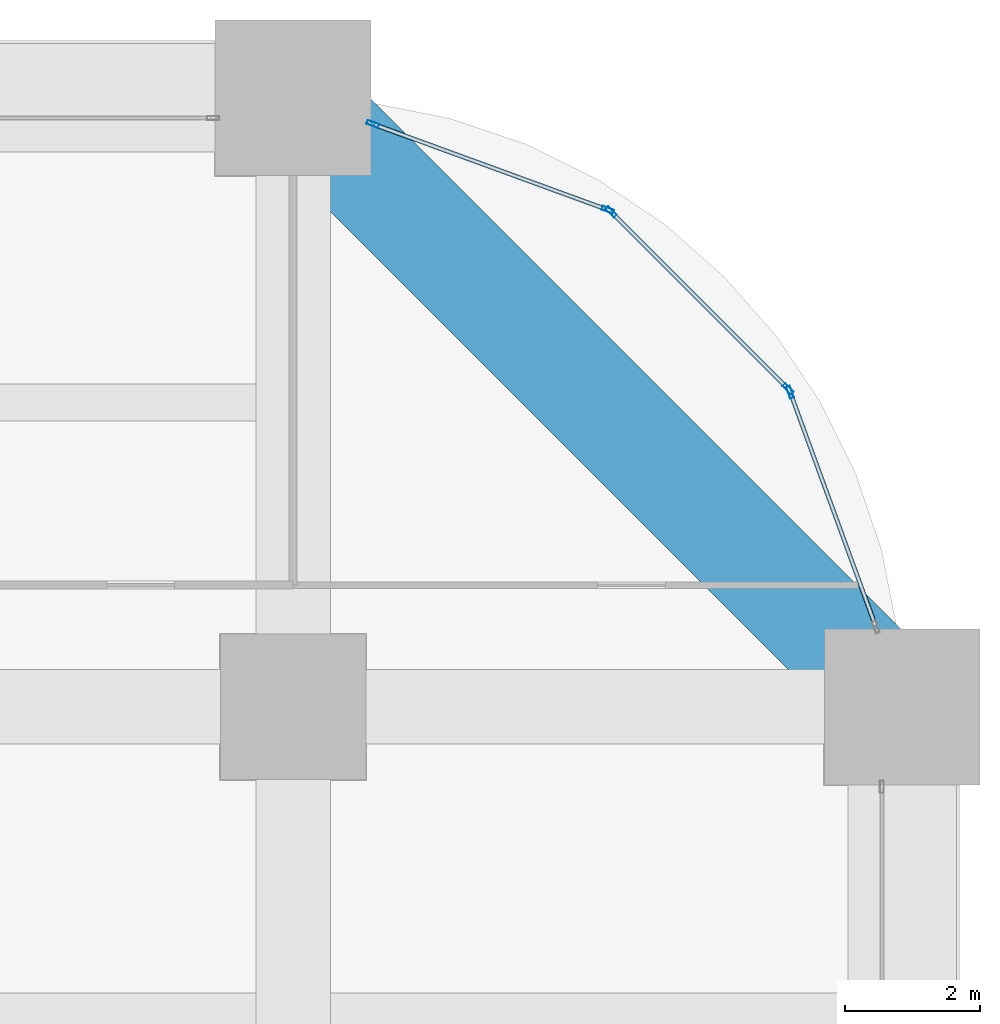
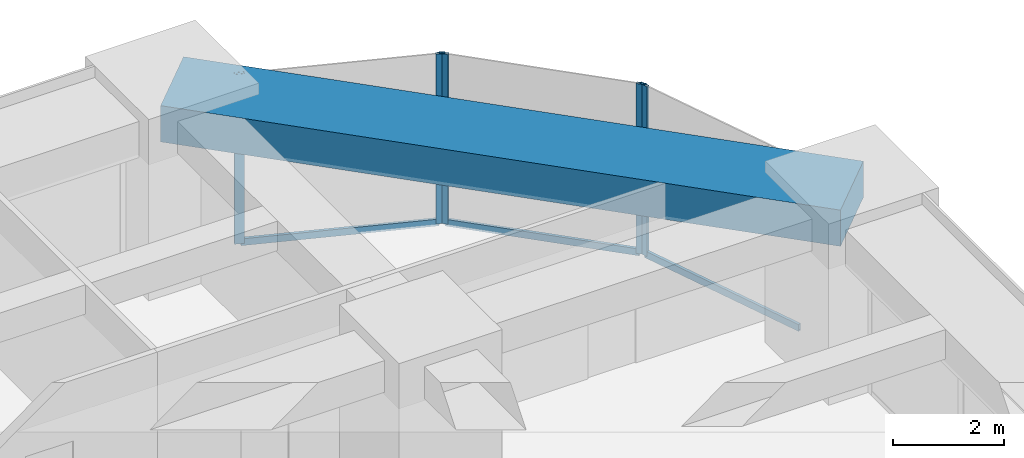
# One storey, part 37 of 44: 8 members, 1 beam, 3 elements without a shape of their own.
"""IFC4 building model written with IfcOpenShell, lengths in metres."""

import ifcopenshell
import ifcopenshell.guid

model = None  # the IFC model being written
_history = None  # IfcOwnerHistory: only IFC2X3 demands one
_inside = {}  # id of a spatial element -> (the spatial element, [elements in it])
_under = {}  # id of a project, library or spatial element -> (it, [spatial elements below it])
_declared = {}  # id of a project -> (the project, [libraries it declares])
_typed = {}  # id of a type object -> (the type object, [elements of that type])
_made_of = {}  # id of a material, layer set ... -> (it, [elements and type objects made of it])


def new_model(schema):
    """Start an empty IFC model of exactly this schema.

    Asked for "IFC4X3", IfcOpenShell would pick the latest addendum, in which some entities
    have other attributes; the version numbers below select the first issue.
    IFC2X3 requires an IfcOwnerHistory on every rooted entity: one is made here for all.
    """
    global model, _history
    if schema == "IFC4X3":
        model = ifcopenshell.file(schema_version=(4, 3, 0, 0))
    else:
        model = ifcopenshell.file(schema=schema)
    _inside.clear()
    _under.clear()
    _declared.clear()
    _typed.clear()
    _made_of.clear()
    _history = None
    if model.schema == "IFC2X3":
        org = make("IfcOrganization", Name="unknown")
        user = make(
            "IfcPersonAndOrganization",
            ThePerson=make("IfcPerson", FamilyName="unknown"),
            TheOrganization=org,
        )
        app = make(
            "IfcApplication",
            ApplicationDeveloper=org,
            Version="unknown",
            ApplicationFullName="unknown",
            ApplicationIdentifier="unknown",
        )
        _history = make(
            "IfcOwnerHistory",
            OwningUser=user,
            OwningApplication=app,
            ChangeAction="ADDED",
            CreationDate=0,
        )
    return model


def make(cls, **values):
    """One entity of the class cls with the attributes given. An attribute that is None is left unset."""
    return model.create_entity(
        cls, **{name: value for name, value in values.items() if value is not None}
    )


def rooted(cls, **values):
    """An entity with a GlobalId (a new one), such as an element, a storey or a relation."""
    return make(cls, GlobalId=ifcopenshell.guid.new(), OwnerHistory=_history, **values)


def si_unit(unit_type, name, prefix=None):
    """IfcSIUnit, for example si_unit("LENGTHUNIT", "METRE", prefix="MILLI")."""
    return make("IfcSIUnit", UnitType=unit_type, Prefix=prefix, Name=name)


def assignment(units):
    """IfcUnitAssignment: the units of a project."""
    return None if units is None else make("IfcUnitAssignment", Units=units)


def point(xyz):
    """IfcCartesianPoint."""
    return None if xyz is None else make("IfcCartesianPoint", Coordinates=xyz)


def direction(xyz):
    """IfcDirection."""
    return None if xyz is None else make("IfcDirection", DirectionRatios=xyz)


def frame(location, z_axis=None, x_axis=None):
    """IfcAxis2Placement3D, a coordinate frame: its origin and axes. An axis left out is left unset."""
    return make(
        "IfcAxis2Placement3D",
        Location=point(location),
        Axis=direction(z_axis),
        RefDirection=direction(x_axis),
    )


def frame_2d(location, x_axis=None):
    """IfcAxis2Placement2D, a coordinate frame in the plane: its origin and x axis."""
    return make(
        "IfcAxis2Placement2D", Location=point(location), RefDirection=direction(x_axis)
    )


def origin():
    """The frame at (0, 0, 0) with its axes left unset."""
    return frame((0.0, 0.0, 0.0))


def origin_2d():
    """The frame at (0, 0) in the plane with its x axis left unset."""
    return frame_2d((0.0, 0.0))


def place(relative_to, where):
    """IfcLocalPlacement: puts the frame where relative to a parent placement (None: the world)."""
    return make(
        "IfcLocalPlacement", PlacementRelTo=relative_to, RelativePlacement=where
    )


def context(
    kind, dimensions, precision=None, world=None, true_north=None, identifier=None
):
    """IfcGeometricRepresentationContext, for example the 3D "Model" context."""
    return make(
        "IfcGeometricRepresentationContext",
        ContextIdentifier=identifier,
        ContextType=kind,
        CoordinateSpaceDimension=dimensions,
        Precision=precision,
        WorldCoordinateSystem=world,
        TrueNorth=true_north,
    )


def subcontext(parent, identifier, kind, view, scale=None):
    """IfcGeometricRepresentationSubContext, for example "Body" below "Model"."""
    return make(
        "IfcGeometricRepresentationSubContext",
        ContextIdentifier=identifier,
        ContextType=kind,
        ParentContext=parent,
        TargetScale=scale,
        TargetView=view,
    )


def project(units=None, contexts=None):
    """IfcProject with its units and contexts."""
    return rooted(
        "IfcProject",
        Name="project",
        RepresentationContexts=contexts,
        UnitsInContext=assignment(units),
    )


def spatial(cls, under=None, at=None, **own):
    """A site, building, storey or space (cls), placed at a placement, below another one or the project."""
    s = rooted(cls, ObjectPlacement=at, **own)
    if under is not None:
        _under.setdefault(under.id(), (under, []))[1].append(s)
    return s


def profile(cls, at=None, kind="AREA", **sizes):
    """A parametric profile (cls). Its sizes go by their IFC names, for example OverallWidth=200.0."""
    return make(cls, ProfileType=kind, Position=at, **sizes)


def rectangle(**sizes):
    """IfcRectangleProfileDef."""
    return profile("IfcRectangleProfileDef", **sizes)


def hollow_rectangle(**sizes):
    """IfcRectangleHollowProfileDef."""
    return profile("IfcRectangleHollowProfileDef", **sizes)


def extrude(swept, where, along, depth):
    """IfcExtrudedAreaSolid: the profile swept, set in the frame where, extruded along a direction by depth."""
    return make(
        "IfcExtrudedAreaSolid",
        SweptArea=swept,
        Position=where,
        ExtrudedDirection=direction(along),
        Depth=depth,
    )


def shape(context_of_items, identifier, shape_type, items):
    """IfcShapeRepresentation: the items that make up one representation, for example the "Body"."""
    return make(
        "IfcShapeRepresentation",
        ContextOfItems=context_of_items,
        RepresentationIdentifier=identifier,
        RepresentationType=shape_type,
        Items=items,
    )


def material(Name=None, Category=None):
    """IfcMaterial."""
    return make("IfcMaterial", Name=Name, Category=Category)


def material_profile(
    of_material, cross_section, Name=None, Category=None, Priority=None
):
    """IfcMaterialProfile: a cross section and its material."""
    return make(
        "IfcMaterialProfile",
        Name=Name,
        Material=of_material,
        Profile=cross_section,
        Priority=Priority,
        Category=Category,
    )


def profile_set(profiles, Name=None, composite=None):
    """IfcMaterialProfileSet."""
    return make(
        "IfcMaterialProfileSet",
        Name=Name,
        MaterialProfiles=profiles,
        CompositeProfile=composite,
    )


def made_of(thing, what):
    """Note that an element or type object is made of a material, layer set ...; save() writes the relation."""
    if what is not None:
        _made_of.setdefault(what.id(), (what, []))[1].append(thing)
    return thing


def type_object(cls, material=None, **own):
    """A type object (cls), such as IfcWallType, which elements share."""
    return made_of(rooted(cls, **own), material)


def element(
    cls,
    number,
    at=None,
    inside=None,
    cuts=None,
    type_object=None,
    material=None,
    context=None,
    identifier="Body",
    shape_type=None,
    held_by="IfcProductDefinitionShape",
    body=None,
    shapes=None,
    **own,
):
    """One element of the class cls, such as IfcWall. Its Tag is "e" and its number.

    at: its placement. inside: the storey or other place that contains it. cuts: it is an
    opening in that element (IfcRelVoidsElement). A single representation is given by context,
    identifier, shape_type and body (its items); several are given by shapes. held_by: the class
    of the entity that holds the representations. save() writes the other relations.
    """
    e = rooted(cls, Tag="e%d" % number, ObjectPlacement=at, **own)
    if body is not None:
        shapes = [shape(context, identifier, shape_type, body)]
    if shapes is not None:
        e.Representation = make(held_by, Representations=shapes)
    if inside is not None:
        _inside.setdefault(inside.id(), (inside, []))[1].append(e)
    if cuts is not None:
        rooted(
            "IfcRelVoidsElement", RelatingBuildingElement=cuts, RelatedOpeningElement=e
        )
    if type_object is not None:
        _typed.setdefault(type_object.id(), (type_object, []))[1].append(e)
    return made_of(e, material)


def aggregate(whole, parts):
    """IfcRelAggregates: a whole, such as a stair, and the parts it consists of."""
    return rooted("IfcRelAggregates", RelatingObject=whole, RelatedObjects=parts)


def save(model, path):
    """Write the relations noted so far, then the file.

    IfcRelAggregates (storeys below a building ...), IfcRelContainedInSpatialStructure (elements
    in a storey), IfcRelDefinesByType, IfcRelAssociatesMaterial and IfcRelDeclares: one each for
    every whole, place, type object, material and project.
    """
    for whole, parts in _under.values():
        aggregate(whole, parts)
    for where, things in _inside.values():
        rooted(
            "IfcRelContainedInSpatialStructure",
            RelatedElements=things,
            RelatingStructure=where,
        )
    for kind, things in _typed.values():
        rooted("IfcRelDefinesByType", RelatedObjects=things, RelatingType=kind)
    for what, things in _made_of.values():
        rooted("IfcRelAssociatesMaterial", RelatedObjects=things, RelatingMaterial=what)
    for by, libraries in _declared.values():
        rooted("IfcRelDeclares", RelatingContext=by, RelatedDefinitions=libraries)
    model.write(path)


model = new_model("IFC4")

# Units and contexts
model_context = context("Model", 3, precision=1e-05, world=origin(), true_north=direction((0.0, 1.0)))
body_context = subcontext(model_context, "Body", "Model", "MODEL_VIEW")
ifc_project = project(units=[si_unit("LENGTHUNIT", "METRE"), si_unit("AREAUNIT", "SQUARE_METRE"), si_unit("VOLUMEUNIT", "CUBIC_METRE"), si_unit("PLANEANGLEUNIT", "RADIAN"), si_unit("MASSUNIT", "GRAM", prefix="KILO")], contexts=[model_context])

# Site, building, storey
site_placement = place(None, origin())
site = spatial("IfcSite", under=ifc_project, at=site_placement, CompositionType="ELEMENT")
building_placement = place(site_placement, origin())
building = spatial("IfcBuilding", under=site, at=building_placement, Name="Zorevar Civic Tower", CompositionType="ELEMENT")
storey_placement = place(building_placement, frame((0.0, 0.0, 63.800048828125)))
storey = spatial("IfcBuildingStorey", under=building, at=storey_placement, Name="L15", CompositionType="ELEMENT", Elevation=63.800048828125)

# Curtain wall, member
ifc_material_1 = material(Name="Dark grey solar-control glass in black aluminium frame", Category="aluminium")
curtain_wall_type = type_object("IfcCurtainWallType", Name="Curtain wall CW2 low zone", PredefinedType="NOTDEFINED", material=ifc_material_1)
curtain_wall_1_placement = place(storey_placement, origin())
curtain_wall_1 = element("IfcCurtainWall", 1, at=curtain_wall_1_placement, inside=storey, type_object=curtain_wall_type, Name="CW2 L15", PredefinedType="NOTDEFINED")
ifc_material_2 = material(Name="Aluminium, black anodised", Category="aluminium")
ifc_material_profile_1 = material_profile(ifc_material_2, hollow_rectangle(XDim=0.06005859375, YDim=0.179931640625, WallThickness=0.00390625, at=origin_2d()), Name="AL 180x60x4")
ifc_profile_set_1 = profile_set([ifc_material_profile_1], Name="Aluminium, black anodised")
member_type_1 = type_object("IfcMemberType", Name="CW2 mullion AL 180x60x4", PredefinedType="MULLION", material=ifc_profile_set_1)
member_1_placement = place(storey_placement, frame((61.34521484375, 49.650390625, 0.0), z_axis=(0.0, 0.0, 1.0), x_axis=(-0.939313345732, -0.343060400701, 0.0)))
member_1 = element("IfcMember", 2, at=member_1_placement, type_object=member_type_1, Name="CW2 mullion 2", PredefinedType="MULLION", context=body_context, shape_type="SweptSolid", body=[
    extrude(hollow_rectangle(XDim=0.06005859375, YDim=0.179931640625, WallThickness=0.00390625, at=origin_2d()), origin(), (0.0, 0.0, 1.0), 3.75),
])

# Curtain wall, members
curtain_wall_2_placement = place(storey_placement, origin())
curtain_wall_2 = element("IfcCurtainWall", 3, at=curtain_wall_2_placement, inside=storey, type_object=curtain_wall_type, Name="CW2 L15", PredefinedType="NOTDEFINED")
member_2_placement = place(storey_placement, frame((61.313720703125, 49.69970703125, 0.0), z_axis=(0.0, 0.0, 1.0), x_axis=(-0.707106781187, -0.707106781187, 0.0)))
member_2 = element("IfcMember", 4, at=member_2_placement, type_object=member_type_1, Name="CW2 mullion 1", PredefinedType="MULLION", context=body_context, shape_type="SweptSolid", body=[
    extrude(hollow_rectangle(XDim=0.06005859375, YDim=0.179931640625, WallThickness=0.00390625, at=origin_2d()), origin(), (0.0, 0.0, 1.0), 3.75),
])
member_3_placement = place(storey_placement, frame((58.69970703125, 52.313720703125, 0.0), z_axis=(0.0, 0.0, 1.0), x_axis=(-0.707106781187, -0.707106781187, 0.0)))
member_3 = element("IfcMember", 5, at=member_3_placement, type_object=member_type_1, Name="CW2 mullion 2", PredefinedType="MULLION", context=body_context, shape_type="SweptSolid", body=[
    extrude(hollow_rectangle(XDim=0.06005859375, YDim=0.179931640625, WallThickness=0.00390625, at=origin_2d()), origin(), (0.0, 0.0, 1.0), 3.75),
])

curtain_wall_3_placement = place(storey_placement, origin())
curtain_wall_3 = element("IfcCurtainWall", 6, at=curtain_wall_3_placement, inside=storey, type_object=curtain_wall_type, Name="CW2 L15", PredefinedType="NOTDEFINED")
member_4_placement = place(storey_placement, frame((58.650390625, 52.34521484375, 0.0), z_axis=(0.0, 0.0, 1.0), x_axis=(-0.343060400701, -0.939313345732, 0.0)))
member_4 = element("IfcMember", 7, at=member_4_placement, type_object=member_type_1, Name="CW2 mullion 1", PredefinedType="MULLION", context=body_context, shape_type="SweptSolid", body=[
    extrude(hollow_rectangle(XDim=0.06005859375, YDim=0.179931640625, WallThickness=0.00390625, at=origin_2d()), origin(), (0.0, 0.0, 1.0), 3.75),
])
member_5_placement = place(storey_placement, frame((55.17822265625, 53.61328125, 0.0), z_axis=(0.0, 0.0, 1.0), x_axis=(-0.343060400701, -0.939313345732, 0.0)))
member_5 = element("IfcMember", 8, at=member_5_placement, type_object=member_type_1, Name="CW2 mullion 2", PredefinedType="MULLION", context=body_context, shape_type="SweptSolid", body=[
    extrude(hollow_rectangle(XDim=0.06005859375, YDim=0.179931640625, WallThickness=0.00390625, at=origin_2d()), origin(), (0.0, 0.0, 1.0), 3.75),
])

# Member
ifc_material_3 = material(Name="Aluminium, black anodised", Category="aluminium")
ifc_material_profile_2 = material_profile(ifc_material_3, hollow_rectangle(XDim=0.06005859375, YDim=0.14990234375, WallThickness=0.00390625, at=origin_2d()), Name="AL 150x60x4")
ifc_profile_set_2 = profile_set([ifc_material_profile_2], Name="Aluminium, black anodised")
member_type_2 = type_object("IfcMemberType", Name="CW2 transom AL 150x60x4", PredefinedType="USERDEFINED", material=ifc_profile_set_2)
member_6_placement = place(storey_placement, frame((62.60302734375, 46.206298828125, 0.030029296875), z_axis=(-0.343047162808, 0.939318180432, 0.0), x_axis=(-0.939318180432, -0.343047162808, 0.0)))
member_6 = element("IfcMember", 9, at=member_6_placement, type_object=member_type_2, Name="CW2 sill transom", ObjectType="TRANSOM", PredefinedType="USERDEFINED", context=body_context, shape_type="SweptSolid", body=[
    extrude(hollow_rectangle(XDim=0.06005859375, YDim=0.14990234375, WallThickness=0.00390625, at=origin_2d()), origin(), (0.0, 0.0, 1.0), 3.63671875),
])

aggregate(curtain_wall_1, [member_1, member_6])

member_7_placement = place(storey_placement, frame((61.29248046875, 49.720947265625, 0.030029296875), z_axis=(-0.707106781187, 0.707106781187, 0.0), x_axis=(-0.707106781187, -0.707106781187, 0.0)))
member_7 = element("IfcMember", 10, at=member_7_placement, type_object=member_type_2, Name="CW2 sill transom", ObjectType="TRANSOM", PredefinedType="USERDEFINED", context=body_context, shape_type="SweptSolid", body=[
    extrude(hollow_rectangle(XDim=0.06005859375, YDim=0.14990234375, WallThickness=0.00390625, at=origin_2d()), origin(), (0.0, 0.0, 1.0), 3.63671875),
])

aggregate(curtain_wall_2, [member_2, member_3, member_7])

member_8_placement = place(storey_placement, frame((58.622314453125, 52.35546875, 0.030029296875), z_axis=(-0.939318180432, 0.343047162808, 0.0), x_axis=(-0.343047162808, -0.939318180432, 0.0)))
member_8 = element("IfcMember", 11, at=member_8_placement, type_object=member_type_2, Name="CW2 sill transom", ObjectType="TRANSOM", PredefinedType="USERDEFINED", context=body_context, shape_type="SweptSolid", body=[
    extrude(hollow_rectangle(XDim=0.06005859375, YDim=0.14990234375, WallThickness=0.00390625, at=origin_2d()), origin(), (0.0, 0.0, 1.0), 3.63671875),
])

aggregate(curtain_wall_3, [member_4, member_5, member_8])

# Beam
ifc_material_4 = material(Name="Concrete C50/60", Category="concrete")
ifc_material_profile_3 = material_profile(ifc_material_4, rectangle(XDim=1.60009765625, YDim=0.800048828125, at=origin_2d()), Name="RC 1600x800")
ifc_profile_set_3 = profile_set([ifc_material_profile_3], Name="Concrete C50/60")
beam_type = type_object("IfcBeamType", Name="Edge beam RC 1600x800", PredefinedType="SPANDREL", material=ifc_profile_set_3)
beam_placement = place(storey_placement, frame((63.0, 45.0, 3.349853515625), z_axis=(-0.707106781187, 0.707106781187, 0.0), x_axis=(-0.707106781187, -0.707106781187, 0.0)))
element("IfcBeam", 12, at=beam_placement, inside=storey, type_object=beam_type, Name="Corner edge beam L16", PredefinedType="SPANDREL", context=body_context, shape_type="SweptSolid", body=[
    extrude(rectangle(XDim=1.60009765625, YDim=0.800048828125, at=origin_2d()), origin(), (0.0, 0.0, 1.0), 12.72802734375),
])

save(model, "model.ifc")
